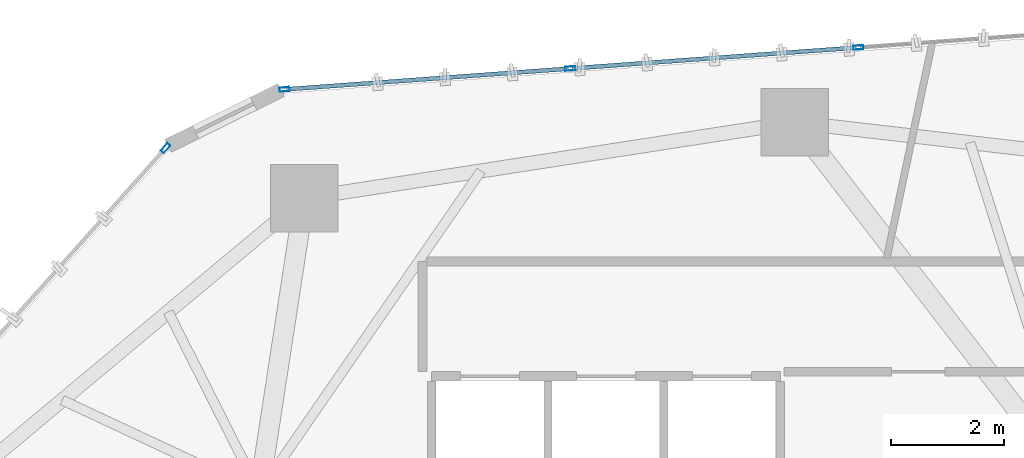
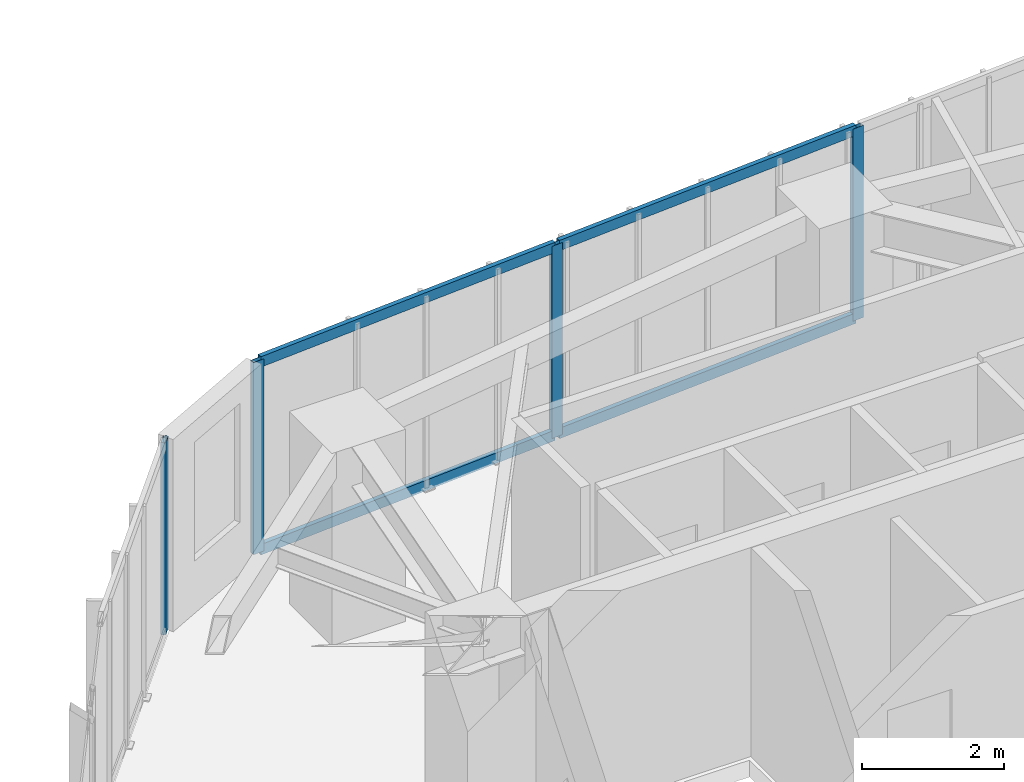
# One storey, part 15 of 23: 8 members, 2 elements without a shape of their own.
"""IFC4 building model written with IfcOpenShell, lengths in metres."""

from ifc_helpers import new_model, si_unit, direction, frame, origin, origin_2d, place, context, subcontext, project, spatial, hollow_rectangle, extrude, source, transform, mapped, material, layer, layer_set, material_profile, profile_set, type_object, type_shapes, element, aggregate, save


model = new_model("IFC4")

# Units and contexts
model_context = context("Model", 3, precision=1e-05, world=origin(), true_north=direction((0.0, 1.0)))
body_context = subcontext(model_context, "Body", "Model", "MODEL_VIEW")
ifc_project = project(units=[si_unit("LENGTHUNIT", "METRE"), si_unit("AREAUNIT", "SQUARE_METRE"), si_unit("VOLUMEUNIT", "CUBIC_METRE"), si_unit("PLANEANGLEUNIT", "RADIAN"), si_unit("MASSUNIT", "GRAM", prefix="KILO")], contexts=[model_context])

# Site, building, storey
site_placement = place(None, origin())
site = spatial("IfcSite", under=ifc_project, at=site_placement, CompositionType="ELEMENT")
building_placement = place(site_placement, origin())
building = spatial("IfcBuilding", under=site, at=building_placement, Name="Talar Marvaseh", CompositionType="ELEMENT")
storey_placement = place(building_placement, frame((0.0, 0.0, 103.800048828125)))
storey = spatial("IfcBuildingStorey", under=building, at=storey_placement, Name="L26", CompositionType="ELEMENT", Elevation=103.800048828125)

# Curtain wall, member
ifc_material = material(Name="Architectural Aluminium", Category="aluminium")
ifc_layer = layer(ifc_material, 0.199951171875)
ifc_layer_set = layer_set([ifc_layer], Name="Architectural Aluminium")
curtain_wall_type = type_object("IfcCurtainWallType", Name="Unitised Acoustic Library Curtain Wall Z2", PredefinedType="NOTDEFINED", material=ifc_layer_set)
curtain_wall_1_placement = place(storey_placement, origin())
curtain_wall_1 = element("IfcCurtainWall", 1, at=curtain_wall_1_placement, inside=storey, type_object=curtain_wall_type, Name="L26 Unitised Acoustic Library Curtain Wall Z2", PredefinedType="NOTDEFINED")
ifc_material_profile_1 = material_profile(ifc_material, hollow_rectangle(XDim=0.074951171875, YDim=0.179931640625, WallThickness=0.0048828125, at=origin_2d()), Name="RHS180x75x5")
ifc_profile_set_1 = profile_set([ifc_material_profile_1], Name="Architectural Aluminium")
member_type_1 = type_object("IfcMemberType", Name="Unitised Curtain Wall Standard Mullion RHS180x75x5", PredefinedType="MULLION", material=ifc_profile_set_1)
shared_shape_1 = source(origin(), body_context, "Body", "SweptSolid", [
    extrude(hollow_rectangle(XDim=0.074951171875, YDim=0.179931640625, WallThickness=0.0048828125, at=origin_2d()), origin(), (0.0, 0.0, 1.0), 3.31005859375),
])
type_shapes(member_type_1, [shared_shape_1])
member_1_placement = place(storey_placement, frame((17.0341796875, 43.01318359375, 0.0), z_axis=(0.0, 0.0, 1.0), x_axis=(-0.746844063395, 0.664999206745, 0.0)))
member_1 = element("IfcMember", 2, at=member_1_placement, type_object=member_type_1, Name="CW-Z2 mullion 4", PredefinedType="MULLION", context=body_context, shape_type="MappedRepresentation", body=[
    mapped(shared_shape_1, transform((0.0, 0.0, 0.0), x_axis=(1.0, 0.0, 0.0), y_axis=(0.0, 1.0, 0.0), z_axis=(0.0, 0.0, 1.0), scale=1.0)),
])
aggregate(curtain_wall_1, [member_1])

# Curtain wall, members
curtain_wall_2_placement = place(storey_placement, origin())
curtain_wall_2 = element("IfcCurtainWall", 3, at=curtain_wall_2_placement, inside=storey, type_object=curtain_wall_type, Name="L26 Unitised Acoustic Library Curtain Wall Z2", PredefinedType="NOTDEFINED")
member_2_placement = place(storey_placement, frame((19.150634765625, 44.056640625, 0.0), z_axis=(0.0, 0.0, 1.0), x_axis=(-0.072930081355, 0.997337055981, 0.0)))
member_2 = element("IfcMember", 4, at=member_2_placement, type_object=member_type_1, Name="CW-Z2 mullion 1", PredefinedType="MULLION", context=body_context, shape_type="MappedRepresentation", body=[
    mapped(shared_shape_1, transform((0.0, 0.0, 0.0), x_axis=(1.0, 0.0, 0.0), y_axis=(0.0, 1.0, 0.0), z_axis=(0.0, 0.0, 1.0), scale=1.0)),
])
member_3_placement = place(storey_placement, frame((24.2294921875, 44.42822265625, 0.0), z_axis=(0.0, 0.0, 1.0), x_axis=(-0.072930081355, 0.997337055981, 0.0)))
member_3 = element("IfcMember", 5, at=member_3_placement, type_object=member_type_1, Name="CW-Z2 mullion 2", PredefinedType="MULLION", context=body_context, shape_type="MappedRepresentation", body=[
    mapped(shared_shape_1, transform((0.0, 0.0, 0.0), x_axis=(1.0, 0.0, 0.0), y_axis=(0.0, 1.0, 0.0), z_axis=(0.0, 0.0, 1.0), scale=1.0)),
])
member_4_placement = place(storey_placement, frame((29.345947265625, 44.80224609375, 0.0), z_axis=(0.0, 0.0, 1.0), x_axis=(-0.072930081355, 0.997337055981, 0.0)))
member_4 = element("IfcMember", 6, at=member_4_placement, type_object=member_type_1, Name="CW-Z2 mullion 3", PredefinedType="MULLION", context=body_context, shape_type="MappedRepresentation", body=[
    mapped(shared_shape_1, transform((0.0, 0.0, 0.0), x_axis=(1.0, 0.0, 0.0), y_axis=(0.0, 1.0, 0.0), z_axis=(0.0, 0.0, 1.0), scale=1.0)),
])
ifc_material_profile_2 = material_profile(ifc_material, hollow_rectangle(XDim=0.074951171875, YDim=0.179931640625, WallThickness=0.0048828125, at=origin_2d()), Name="RHS180x75x5")
ifc_profile_set_2 = profile_set([ifc_material_profile_2], Name="Architectural Aluminium")
member_type_2 = type_object("IfcMemberType", Name="Unitised Curtain Wall Transom RHS180x75x5", PredefinedType="USERDEFINED", material=ifc_profile_set_2)
shared_shape_2 = source(origin(), body_context, "Body", "SweptSolid", [
    extrude(hollow_rectangle(XDim=0.074951171875, YDim=0.179931640625, WallThickness=0.0048828125, at=origin_2d()), origin(), (0.0, 0.0, 1.0), 5.017578125),
])
member_5_placement = place(storey_placement, frame((19.18798828125, 44.0595703125, 0.037353515625), z_axis=(0.997340025236, 0.072889464693, 0.0), x_axis=(-0.072889464693, 0.997340025236, 0.0)))
member_5 = element("IfcMember", 7, at=member_5_placement, type_object=member_type_2, Name="CW-Z2 transom 1.1", ObjectType="TRANSOM", PredefinedType="USERDEFINED", context=body_context, shape_type="MappedRepresentation", body=[
    mapped(shared_shape_2, transform((0.0, 0.0, 0.0), x_axis=(1.0, 0.0, 0.0), y_axis=(0.0, 1.0, 0.0), z_axis=(0.0, 0.0, 1.0), scale=1.0)),
])
member_6_placement = place(storey_placement, frame((19.18798828125, 44.0595703125, 3.2724609375), z_axis=(0.997340025236, 0.072889464693, 0.0), x_axis=(-0.072889464693, 0.997340025236, 0.0)))
member_6 = element("IfcMember", 8, at=member_6_placement, type_object=member_type_2, Name="CW-Z2 transom 1.2", ObjectType="TRANSOM", PredefinedType="USERDEFINED", context=body_context, shape_type="MappedRepresentation", body=[
    mapped(shared_shape_2, transform((0.0, 0.0, 0.0), x_axis=(1.0, 0.0, 0.0), y_axis=(0.0, 1.0, 0.0), z_axis=(0.0, 0.0, 1.0), scale=1.0)),
])
shared_shape_3 = source(origin(), body_context, "Body", "SweptSolid", [
    extrude(hollow_rectangle(XDim=0.074951171875, YDim=0.179931640625, WallThickness=0.0048828125, at=origin_2d()), origin(), (0.0, 0.0, 1.0), 5.05517578125),
])
type_shapes(member_type_2, [shared_shape_2, shared_shape_3])
member_7_placement = place(storey_placement, frame((24.266845703125, 44.430908203125, 0.037353515625), z_axis=(0.997337408732, 0.072925257236, 0.0), x_axis=(-0.072925257236, 0.997337408732, 0.0)))
member_7 = element("IfcMember", 9, at=member_7_placement, type_object=member_type_2, Name="CW-Z2 transom 2.1", ObjectType="TRANSOM", PredefinedType="USERDEFINED", context=body_context, shape_type="MappedRepresentation", body=[
    mapped(shared_shape_3, transform((0.0, 0.0, 0.0), x_axis=(1.0, 0.0, 0.0), y_axis=(0.0, 1.0, 0.0), z_axis=(0.0, 0.0, 1.0), scale=1.0)),
])
member_8_placement = place(storey_placement, frame((24.266845703125, 44.430908203125, 3.2724609375), z_axis=(0.997337408732, 0.072925257236, 0.0), x_axis=(-0.072925257236, 0.997337408732, 0.0)))
member_8 = element("IfcMember", 10, at=member_8_placement, type_object=member_type_2, Name="CW-Z2 transom 2.2", ObjectType="TRANSOM", PredefinedType="USERDEFINED", context=body_context, shape_type="MappedRepresentation", body=[
    mapped(shared_shape_3, transform((0.0, 0.0, 0.0), x_axis=(1.0, 0.0, 0.0), y_axis=(0.0, 1.0, 0.0), z_axis=(0.0, 0.0, 1.0), scale=1.0)),
])
aggregate(curtain_wall_2, [member_2, member_3, member_4, member_5, member_6, member_7, member_8])

save(model, "model.ifc")
